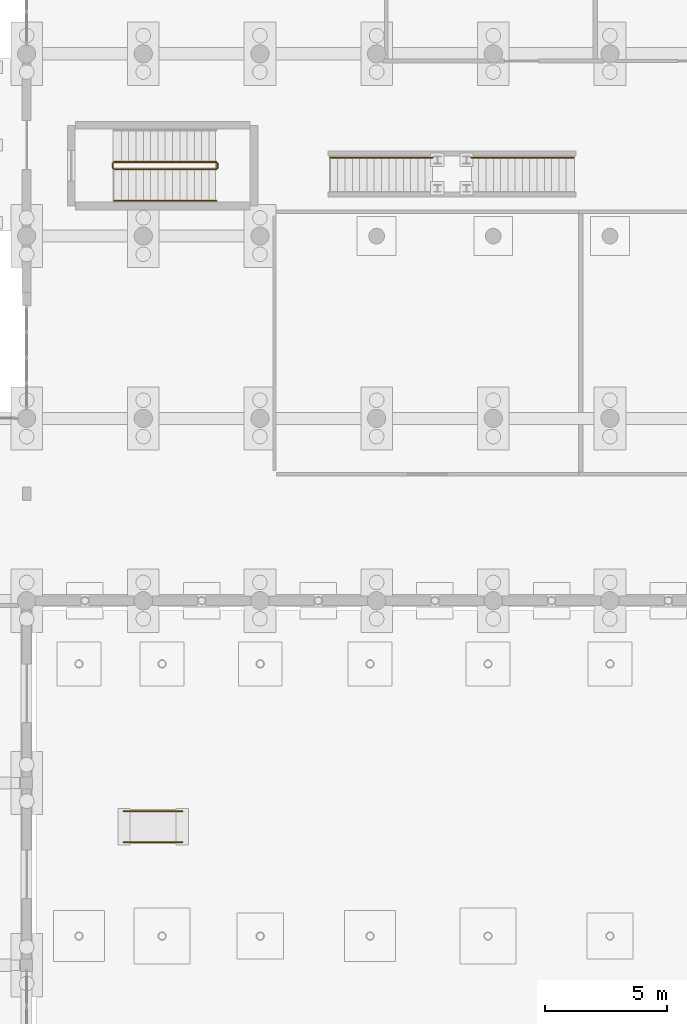
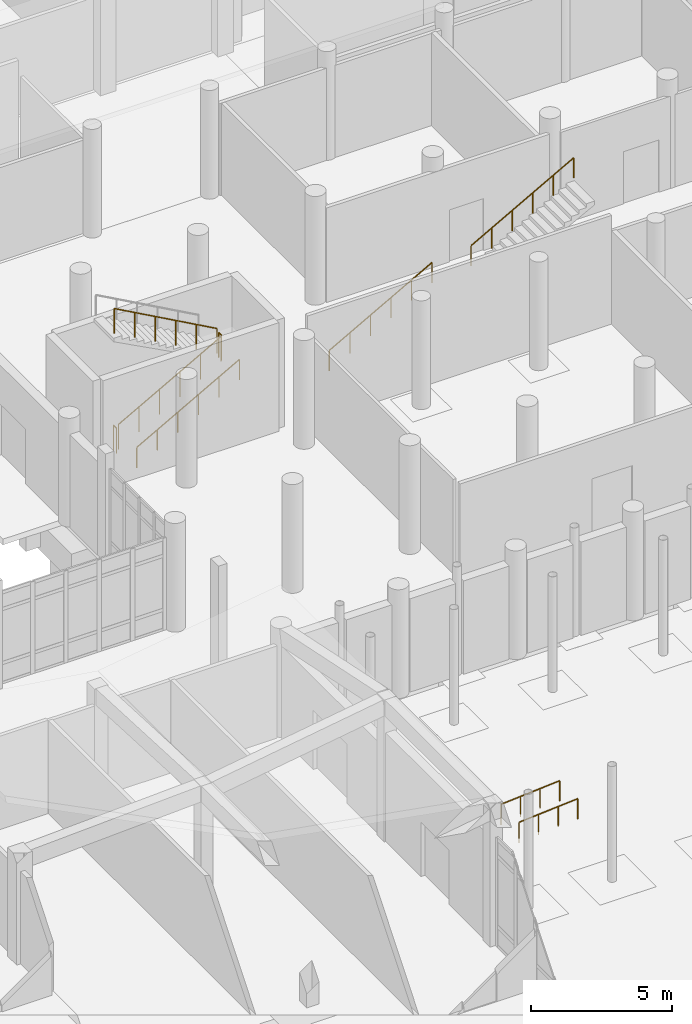
# One storey, part 167 of 173: 9 railings.
"""IFC4 building model written with IfcOpenShell, lengths in metres."""

from ifc_helpers import new_model, si_unit, direction, frame, origin, origin_2d, place, context, subcontext, project, spatial, circle, extrude, material, type_object, element, save


model = new_model("IFC4")

# Units and contexts
model_context = context("Model", 3, precision=1e-05, world=origin(), true_north=direction((0.0, 1.0)))
body_context = subcontext(model_context, "Body", "Model", "MODEL_VIEW")
ifc_project = project(units=[si_unit("LENGTHUNIT", "METRE"), si_unit("AREAUNIT", "SQUARE_METRE"), si_unit("VOLUMEUNIT", "CUBIC_METRE"), si_unit("PLANEANGLEUNIT", "RADIAN"), si_unit("MASSUNIT", "GRAM", prefix="KILO")], contexts=[model_context])

# Site, building, storey
site_placement = place(None, origin())
site = spatial("IfcSite", under=ifc_project, at=site_placement, CompositionType="ELEMENT")
building_placement = place(site_placement, origin())
building = spatial("IfcBuilding", under=site, at=building_placement, Name="Mawjan Specialist Oncology Clinic", CompositionType="ELEMENT")
storey_placement = place(building_placement, origin())
storey = spatial("IfcBuildingStorey", under=building, at=storey_placement, Name="L00", CompositionType="ELEMENT", Elevation=0.0)

# Railings
ifc_material_1 = material(Name="Powder-coated steel stair guard with vertical infill pickets", Category="steel")
railing_type_1 = type_object("IfcRailingType", Name="GR-110", PredefinedType="GUARDRAIL", material=ifc_material_1)
railing_1_placement = place(storey_placement, frame((63.60009765625, 63.550048828125, 0.166748046875)))
element("IfcRailing", 1, at=railing_1_placement, inside=storey, type_object=railing_type_1, Name="L00 ST-07 stair guard 1", PredefinedType="GUARDRAIL", context=body_context, shape_type="SweptSolid", body=[
    extrude(circle(Radius=0.02392578125, at=origin_2d()), frame((0.0, 0.0, 1.076171875), z_axis=(0.874162069901, 0.0, 0.485634302275), x_axis=(0.0, 1.0, 0.0)), (0.0, 0.0, 1.0), 4.804443359375),
    extrude(circle(Radius=0.02099609375, at=origin_2d()), origin(), (0.0, 0.0, 1.0), 1.052001953125),
    extrude(circle(Radius=0.02099609375, at=origin_2d()), frame((0.840087890625, 0.0, 0.466552734375)), (0.0, 0.0, 1.0), 1.052001953125),
    extrude(circle(Radius=0.02099609375, at=origin_2d()), frame((1.679931640625, 0.0, 0.933349609375)), (0.0, 0.0, 1.0), 1.052001953125),
    extrude(circle(Radius=0.02099609375, at=origin_2d()), frame((2.52001953125, 0.0, 1.39990234375)), (0.0, 0.0, 1.0), 1.052001953125),
    extrude(circle(Radius=0.02099609375, at=origin_2d()), frame((3.35986328125, 0.0, 1.86669921875)), (0.0, 0.0, 1.0), 1.052001953125),
    extrude(circle(Radius=0.02099609375, at=origin_2d()), frame((4.199951171875, 0.0, 2.333251953125)), (0.0, 0.0, 1.0), 1.052001953125),
])
railing_2_placement = place(storey_placement, frame((67.85009765625, 63.60009765625, 2.5)))
element("IfcRailing", 2, at=railing_2_placement, inside=storey, type_object=railing_type_1, Name="L00 ST-07 stair guard 2", PredefinedType="GUARDRAIL", context=body_context, shape_type="SweptSolid", body=[
    extrude(circle(Radius=0.02392578125, at=origin_2d()), frame((0.0, 0.0, 1.076171875), z_axis=(0.0, 1.0, 0.0), x_axis=(-1.0, 0.0, 0.0)), (0.0, 0.0, 1.0), 0.199951171875),
    extrude(circle(Radius=0.02099609375, at=origin_2d()), origin(), (0.0, 0.0, 1.0), 1.052001953125),
    extrude(circle(Radius=0.02099609375, at=origin_2d()), frame((0.0, 0.199951171875, 0.0)), (0.0, 0.0, 1.0), 1.052001953125),
])
railing_3_placement = place(storey_placement, frame((67.800048828125, 63.85009765625, 2.666748046875)))
element("IfcRailing", 3, at=railing_3_placement, inside=storey, type_object=railing_type_1, Name="L00 ST-07 stair guard 3", PredefinedType="GUARDRAIL", context=body_context, shape_type="SweptSolid", body=[
    extrude(circle(Radius=0.02392578125, at=origin_2d()), frame((0.0, 0.0, 1.076171875), z_axis=(-0.874162069901, 0.0, 0.485634302275), x_axis=(0.0, -1.0, 0.0)), (0.0, 0.0, 1.0), 4.804443359375),
    extrude(circle(Radius=0.02099609375, at=origin_2d()), origin(), (0.0, 0.0, 1.0), 1.052001953125),
    extrude(circle(Radius=0.02099609375, at=origin_2d()), frame((-0.840087890625, 0.0, 0.466552734375)), (0.0, 0.0, 1.0), 1.052001953125),
    extrude(circle(Radius=0.02099609375, at=origin_2d()), frame((-1.679931640625, 0.0, 0.933349609375)), (0.0, 0.0, 1.0), 1.052001953125),
    extrude(circle(Radius=0.02099609375, at=origin_2d()), frame((-2.52001953125, 0.0, 1.39990234375)), (0.0, 0.0, 1.0), 1.052001953125),
    extrude(circle(Radius=0.02099609375, at=origin_2d()), frame((-3.35986328125, 0.0, 1.86669921875)), (0.0, 0.0, 1.0), 1.052001953125),
    extrude(circle(Radius=0.02099609375, at=origin_2d()), frame((-4.199951171875, 0.0, 2.333251953125)), (0.0, 0.0, 1.0), 1.052001953125),
])
railing_4_placement = place(storey_placement, frame((63.550048828125, 63.60009765625, 0.0)))
element("IfcRailing", 4, at=railing_4_placement, inside=storey, type_object=railing_type_1, Name="L00 ST-07 stair guard 4", PredefinedType="GUARDRAIL", context=body_context, shape_type="SweptSolid", body=[
    extrude(circle(Radius=0.02392578125, at=origin_2d()), frame((0.0, 0.0, 1.076171875), z_axis=(0.0, 1.0, 0.0), x_axis=(-1.0, 0.0, 0.0)), (0.0, 0.0, 1.0), 0.199951171875),
    extrude(circle(Radius=0.02099609375, at=origin_2d()), origin(), (0.0, 0.0, 1.0), 1.052001953125),
    extrude(circle(Radius=0.02099609375, at=origin_2d()), frame((0.0, 0.199951171875, 0.0)), (0.0, 0.0, 1.0), 1.052001953125),
])
ifc_material_2 = material(Name="Brushed stainless-steel tubular handrail", Category="steel")
railing_type_2 = type_object("IfcRailingType", Name="HR-090", PredefinedType="HANDRAIL", material=ifc_material_2)
for number, where, name in (
    (5, (63.60009765625, 62.25, 0.166748046875), "L00 ST-07 stair handrail 1"),
    (6, (72.5, 64.02490234375, 0.166748046875), "ST-09 Communicating Stair Handrail 1"),
    (7, (78.300048828125, 64.02490234375, 2.666748046875), "ST-09 Communicating Stair Handrail 2"),
):
    element("IfcRailing", number, at=place(storey_placement, frame(where)), inside=storey, type_object=railing_type_2, Name=name, PredefinedType="HANDRAIL", context=body_context, shape_type="SweptSolid", body=[
        extrude(circle(Radius=0.02392578125, at=origin_2d()), frame((0.0, 0.0, 0.8759765625), z_axis=(0.874162069901, 0.0, 0.485634302275), x_axis=(0.0, 1.0, 0.0)), (0.0, 0.0, 1.0), 4.804443359375),
        extrude(circle(Radius=0.02099609375, at=origin_2d()), origin(), (0.0, 0.0, 1.0), 0.851806640625),
        extrude(circle(Radius=0.02099609375, at=origin_2d()), frame((0.840087890625, 0.0, 0.466552734375)), (0.0, 0.0, 1.0), 0.851806640625),
        extrude(circle(Radius=0.02099609375, at=origin_2d()), frame((1.679931640625, 0.0, 0.933349609375)), (0.0, 0.0, 1.0), 0.851806640625),
        extrude(circle(Radius=0.02099609375, at=origin_2d()), frame((2.52001953125, 0.0, 1.39990234375)), (0.0, 0.0, 1.0), 0.851806640625),
        extrude(circle(Radius=0.02099609375, at=origin_2d()), frame((3.35986328125, 0.0, 1.86669921875)), (0.0, 0.0, 1.0), 0.851806640625),
        extrude(circle(Radius=0.02099609375, at=origin_2d()), frame((4.199951171875, 0.0, 2.333251953125)), (0.0, 0.0, 1.0), 0.851806640625),
    ])
for number, where, name in (
    (8, (64.0, 35.860107421875, -0.179931640625), "PR-05 Accessible Ramp Handrail L"),
    (9, (64.0, 37.139892578125, -0.179931640625), "PR-05 Accessible Ramp Handrail R"),
):
    element("IfcRailing", number, at=place(storey_placement, frame(where)), inside=storey, type_object=railing_type_2, Name=name, PredefinedType="HANDRAIL", context=body_context, shape_type="SweptSolid", body=[
        extrude(circle(Radius=0.02392578125, at=origin_2d()), frame((0.0, 0.0, 0.8759765625), z_axis=(0.997201201018, 0.0, 0.074764728906), x_axis=(0.0, 1.0, 0.0)), (0.0, 0.0, 1.0), 2.40673828125),
        extrude(circle(Radius=0.02099609375, at=origin_2d()), origin(), (0.0, 0.0, 1.0), 0.851806640625),
        extrude(circle(Radius=0.02099609375, at=origin_2d()), frame((0.800048828125, 0.0, 0.06005859375)), (0.0, 0.0, 1.0), 0.851806640625),
        extrude(circle(Radius=0.02099609375, at=origin_2d()), frame((1.599853515625, 0.0, 0.119873046875)), (0.0, 0.0, 1.0), 0.851806640625),
        extrude(circle(Radius=0.02099609375, at=origin_2d()), frame((2.39990234375, 0.0, 0.179931640625)), (0.0, 0.0, 1.0), 0.851806640625),
    ])

save(model, "model.ifc")
